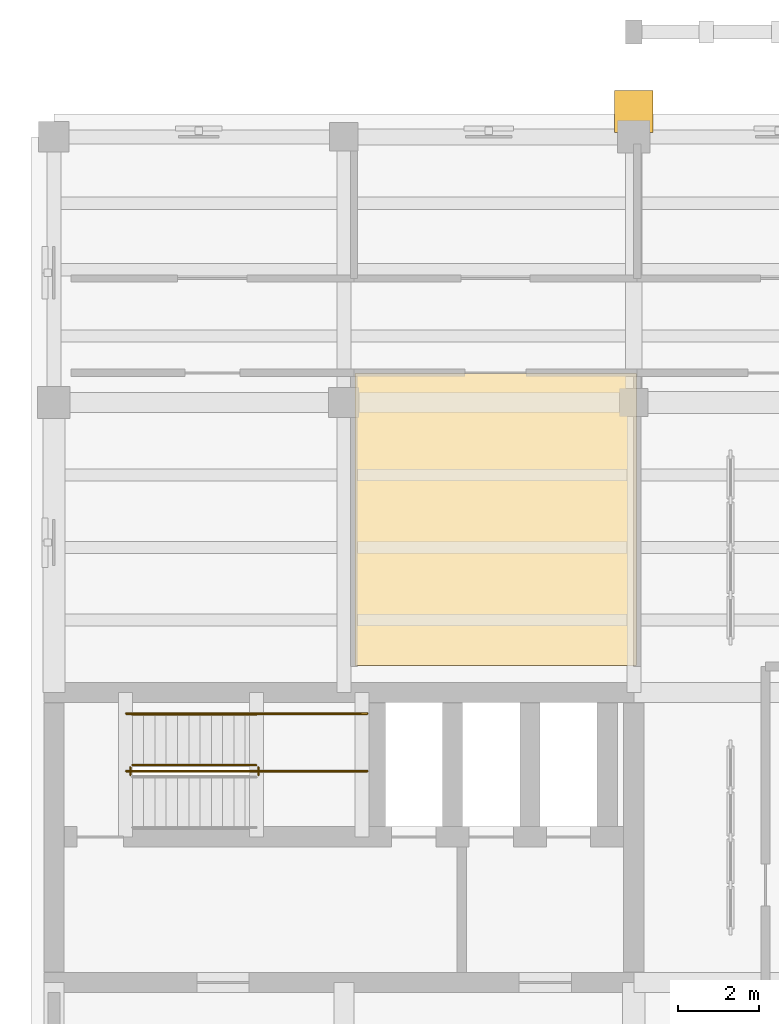
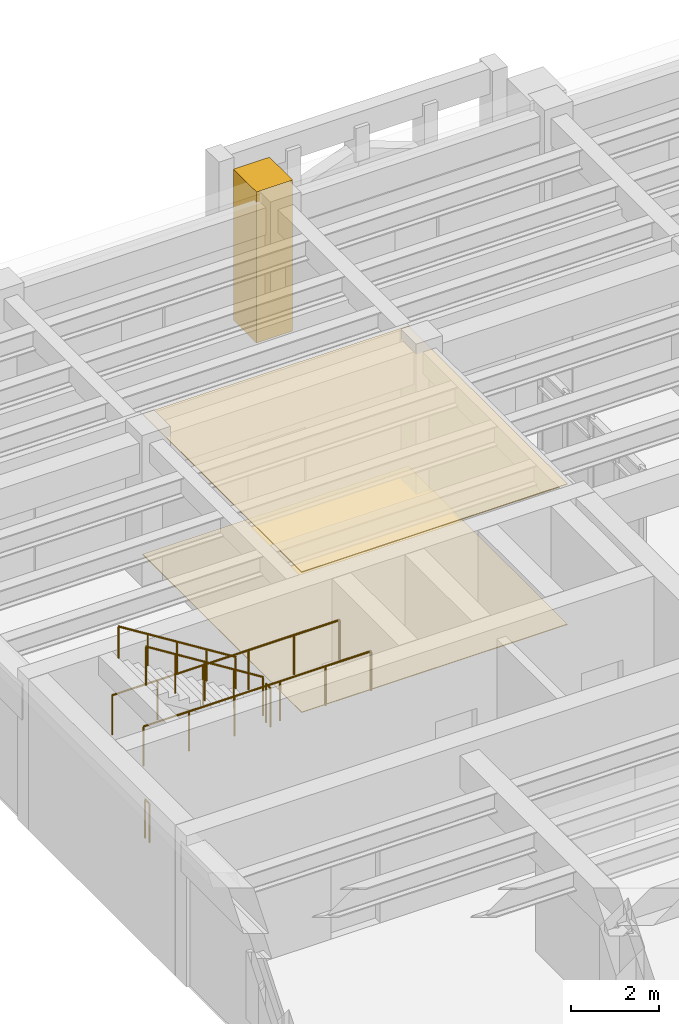
# One storey, part 71 of 76: 6 railings, 3 coverings.
"""IFC4 building model written with IfcOpenShell, lengths in metres."""

from ifc_helpers import new_model, si_unit, direction, frame, origin, origin_2d, place, context, subcontext, project, spatial, polyline, rectangle, circle, outline, extrude, material, layer, layer_set, type_object, element, save


model = new_model("IFC4")

# Units and contexts
model_context = context("Model", 3, precision=1e-05, world=origin(), true_north=direction((0.0, 1.0)))
body_context = subcontext(model_context, "Body", "Model", "MODEL_VIEW")
ifc_project = project(units=[si_unit("LENGTHUNIT", "METRE"), si_unit("AREAUNIT", "SQUARE_METRE"), si_unit("VOLUMEUNIT", "CUBIC_METRE"), si_unit("PLANEANGLEUNIT", "RADIAN"), si_unit("MASSUNIT", "GRAM", prefix="KILO")], contexts=[model_context])

# Site, building, storey
site_placement = place(None, origin())
site = spatial("IfcSite", under=ifc_project, at=site_placement, CompositionType="ELEMENT")
building_placement = place(site_placement, origin())
building = spatial("IfcBuilding", under=site, at=building_placement, Name="Mithqara Police Headquarters", CompositionType="ELEMENT")
storey_placement = place(building_placement, frame((0.0, 0.0, 5.39990234375)))
storey = spatial("IfcBuildingStorey", under=building, at=storey_placement, Name="L01", CompositionType="ELEMENT", Elevation=5.39990234375)

# Coverings
ifc_material_1 = material(Name="Acoustic mineral-fibre ceiling tile", Category="gypsum")
ifc_layer_1 = layer(ifc_material_1, 0.02490234375, Name="Acoustic mineral-fibre ceiling tile")
ifc_layer_set_1 = layer_set([ifc_layer_1], Name="Acoustic mineral-fibre ceiling tile")
covering_type_1 = type_object("IfcCoveringType", Name="ACOUSTIC CEILING TILE", PredefinedType="CEILING", material=ifc_layer_set_1)
covering_1_placement = place(storey_placement, frame((0.0, 0.0, 3.89501953125)))
element("IfcCovering", 1, at=covering_1_placement, inside=storey, type_object=covering_type_1, Name="Municipal Camera Liaison Room Acoustic Ceiling", PredefinedType="CEILING", context=body_context, shape_type="SweptSolid", body=[
    extrude(outline(polyline([(116.072021484375, 100.8701171875), (123.06396484375, 100.8701171875), (123.06396484375, 108.1201171875), (116.072021484375, 108.1201171875), (116.072021484375, 100.8701171875)])), origin(), (0.0, 0.0, 1.0), 0.025146484375),
])
ifc_material_2 = material(Name="Limestone ashlar masonry, 45 MPa", Category="masonry")
ifc_layer_2 = layer(ifc_material_2, 0.320068359375, Name="Limestone ashlar masonry, 45 MPa")
ifc_layer_set_2 = layer_set([ifc_layer_2], Name="Limestone ashlar masonry, 45 MPa")
covering_type_2 = type_object("IfcCoveringType", Name="CORNICE LIMESTONE", PredefinedType="CLADDING", material=ifc_layer_set_2)
covering_2_placement = place(storey_placement, frame((123.0, 114.6298828125, 0.0), z_axis=(0.0, 0.0, 1.0), x_axis=(1.0, 0.0, 0.0)))
element("IfcCovering", 2, at=covering_2_placement, inside=storey, type_object=covering_type_2, Name="Recessed Entrance Portal Cheek Pier W-L01", PredefinedType="CLADDING", context=body_context, shape_type="SweptSolid", body=[
    extrude(rectangle(XDim=0.949951171875, YDim=1.050048828125, at=origin_2d()), origin(), (0.0, 0.0, 1.0), 4.199951171875),
])

# Railings
ifc_material_3 = material(Name="Steel S355JR", Category="steel")
railing_type_1 = type_object("IfcRailingType", Name="HANDRAIL 920", PredefinedType="HANDRAIL", material=ifc_material_3)
railing_1_placement = place(storey_placement, frame((113.6298828125, 99.64990234375, 2.275146484375)))
element("IfcRailing", 3, at=railing_1_placement, inside=storey, type_object=railing_type_1, Name="L01 ST-01 stair handrail 2", PredefinedType="HANDRAIL", context=body_context, shape_type="SweptSolid", body=[
    extrude(circle(Radius=0.02392578125, at=origin_2d()), frame((0.0, 0.0, 0.8759765625), z_axis=(-0.847979421464, 0.0, 0.530029150871), x_axis=(0.0, -1.0, 0.0)), (0.0, 0.0, 1.0), 3.632080078125),
    extrude(circle(Radius=0.02099609375, at=origin_2d()), origin(), (0.0, 0.0, 1.0), 0.851806640625),
    extrude(circle(Radius=0.02099609375, at=origin_2d()), frame((-0.77001953125, 0.0, 0.481201171875)), (0.0, 0.0, 1.0), 0.851806640625),
    extrude(circle(Radius=0.02099609375, at=origin_2d()), frame((-1.5400390625, 0.0, 0.96240234375)), (0.0, 0.0, 1.0), 0.851806640625),
    extrude(circle(Radius=0.02099609375, at=origin_2d()), frame((-2.309814453125, 0.0, 1.44384765625)), (0.0, 0.0, 1.0), 0.851806640625),
    extrude(circle(Radius=0.02099609375, at=origin_2d()), frame((-3.079833984375, 0.0, 1.925048828125)), (0.0, 0.0, 1.0), 0.851806640625),
])
railing_type_2 = type_object("IfcRailingType", Name="STAIR GUARD 1120", PredefinedType="GUARDRAIL", material=ifc_material_3)
railing_2_placement = place(storey_placement, frame((113.679931640625, 98.14990234375, 2.10009765625)))
element("IfcRailing", 4, at=railing_2_placement, inside=storey, type_object=railing_type_2, Name="L01 ST-01 stair guard 2", PredefinedType="GUARDRAIL", context=body_context, shape_type="SweptSolid", body=[
    extrude(circle(Radius=0.02392578125, at=origin_2d()), frame((0.0, 0.0, 1.076171875), z_axis=(0.0, 1.0, 0.0), x_axis=(-1.0, 0.0, 0.0)), (0.0, 0.0, 1.0), 0.2001953125),
    extrude(circle(Radius=0.02099609375, at=origin_2d()), origin(), (0.0, 0.0, 1.0), 1.052001953125),
    extrude(circle(Radius=0.02099609375, at=origin_2d()), frame((0.0, 0.2001953125, 0.0)), (0.0, 0.0, 1.0), 1.052001953125),
])
railing_3_placement = place(storey_placement, frame((113.6298828125, 98.39990234375, 2.275146484375)))
element("IfcRailing", 5, at=railing_3_placement, inside=storey, type_object=railing_type_2, Name="L01 ST-01 stair guard 3", PredefinedType="GUARDRAIL", context=body_context, shape_type="SweptSolid", body=[
    extrude(circle(Radius=0.02392578125, at=origin_2d()), frame((0.0, 0.0, 1.076171875), z_axis=(-0.847979421464, 0.0, 0.530029150871), x_axis=(0.0, -1.0, 0.0)), (0.0, 0.0, 1.0), 3.632080078125),
    extrude(circle(Radius=0.02099609375, at=origin_2d()), origin(), (0.0, 0.0, 1.0), 1.052001953125),
    extrude(circle(Radius=0.02099609375, at=origin_2d()), frame((-0.77001953125, 0.0, 0.481201171875)), (0.0, 0.0, 1.0), 1.052001953125),
    extrude(circle(Radius=0.02099609375, at=origin_2d()), frame((-1.5400390625, 0.0, 0.96240234375)), (0.0, 0.0, 1.0), 1.052001953125),
    extrude(circle(Radius=0.02099609375, at=origin_2d()), frame((-2.309814453125, 0.0, 1.44384765625)), (0.0, 0.0, 1.0), 1.052001953125),
    extrude(circle(Radius=0.02099609375, at=origin_2d()), frame((-3.079833984375, 0.0, 1.925048828125)), (0.0, 0.0, 1.0), 1.052001953125),
])
railing_4_placement = place(storey_placement, frame((110.5, 98.14990234375, 0.0)))
element("IfcRailing", 6, at=railing_4_placement, inside=storey, type_object=railing_type_2, Name="L01 ST-01 stair guard 4", PredefinedType="GUARDRAIL", context=body_context, shape_type="SweptSolid", body=[
    extrude(circle(Radius=0.02392578125, at=origin_2d()), frame((0.0, 0.0, 1.076171875), z_axis=(0.0, 1.0, 0.0), x_axis=(-1.0, 0.0, 0.0)), (0.0, 0.0, 1.0), 0.2001953125),
    extrude(circle(Radius=0.02099609375, at=origin_2d()), origin(), (0.0, 0.0, 1.0), 1.052001953125),
    extrude(circle(Radius=0.02099609375, at=origin_2d()), frame((0.0, 0.2001953125, 0.0)), (0.0, 0.0, 1.0), 1.052001953125),
])
for number, where, name in (
    (7, (110.39990234375, 98.25, 2.10009765625), "L01 ST-01 Half-Landing Guard IN"),
    (8, (110.39990234375, 99.679931640625, 2.10009765625), "L01 ST-01 Half-Landing Guard OUT"),
):
    element("IfcRailing", number, at=place(storey_placement, frame(where)), inside=storey, type_object=railing_type_2, Name=name, PredefinedType="GUARDRAIL", context=body_context, shape_type="SweptSolid", body=[
        extrude(circle(Radius=0.02392578125, at=origin_2d()), frame((0.0, 0.0, 1.09619140625), z_axis=(1.0, 0.0, 0.0), x_axis=(0.0, 1.0, 0.0)), (0.0, 0.0, 1.0), 5.97998046875),
        extrude(circle(Radius=0.02099609375, at=origin_2d()), origin(), (0.0, 0.0, 1.0), 1.072021484375),
        extrude(circle(Radius=0.02099609375, at=origin_2d()), frame((1.196044921875, 0.0, 0.0)), (0.0, 0.0, 1.0), 1.072021484375),
        extrude(circle(Radius=0.02099609375, at=origin_2d()), frame((2.39208984375, 0.0, 0.0)), (0.0, 0.0, 1.0), 1.072021484375),
        extrude(circle(Radius=0.02099609375, at=origin_2d()), frame((3.587890625, 0.0, 0.0)), (0.0, 0.0, 1.0), 1.072021484375),
        extrude(circle(Radius=0.02099609375, at=origin_2d()), frame((4.783935546875, 0.0, 0.0)), (0.0, 0.0, 1.0), 1.072021484375),
        extrude(circle(Radius=0.02099609375, at=origin_2d()), frame((5.97998046875, 0.0, 0.0)), (0.0, 0.0, 1.0), 1.072021484375),
    ])

# Covering
ifc_material_4 = material(Name="Polished limestone terrazzo flooring", Category="masonry")
ifc_layer_3 = layer(ifc_material_4, 0.02001953125, Name="Polished limestone terrazzo flooring")
ifc_layer_set_3 = layer_set([ifc_layer_3], Name="Polished limestone terrazzo flooring")
covering_type_3 = type_object("IfcCoveringType", Name="TERRAZZO FLOOR FINISH", PredefinedType="FLOORING", material=ifc_layer_set_3)
covering_3_placement = place(storey_placement, origin())
element("IfcCovering", 9, at=covering_3_placement, inside=storey, type_object=covering_type_3, Name="Municipal Camera Liaison Room Terrazzo Floor Finish", PredefinedType="FLOORING", context=body_context, shape_type="SweptSolid", body=[
    extrude(outline(polyline([(116.072021484375, 100.8701171875), (123.06396484375, 100.8701171875), (123.06396484375, 108.1201171875), (116.072021484375, 108.1201171875), (116.072021484375, 100.8701171875)])), origin(), (0.0, 0.0, 1.0), 0.02001953125),
])

save(model, "model.ifc")
